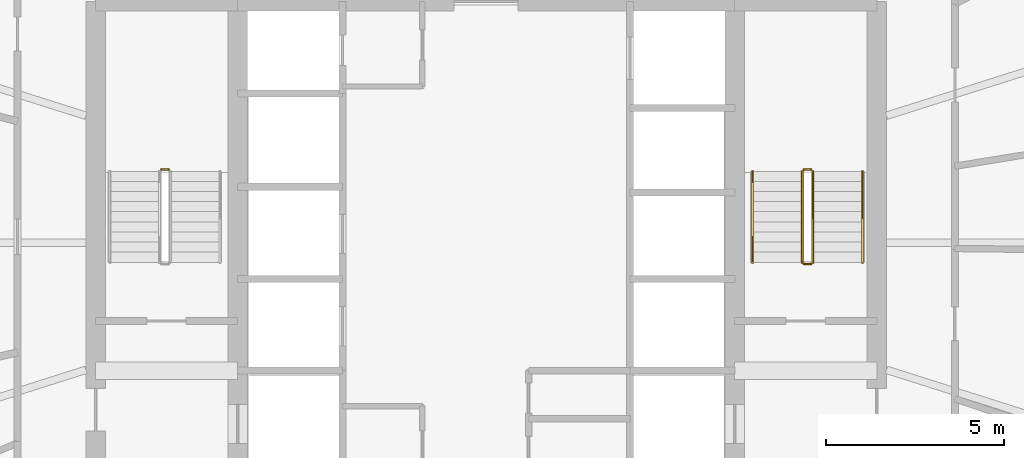
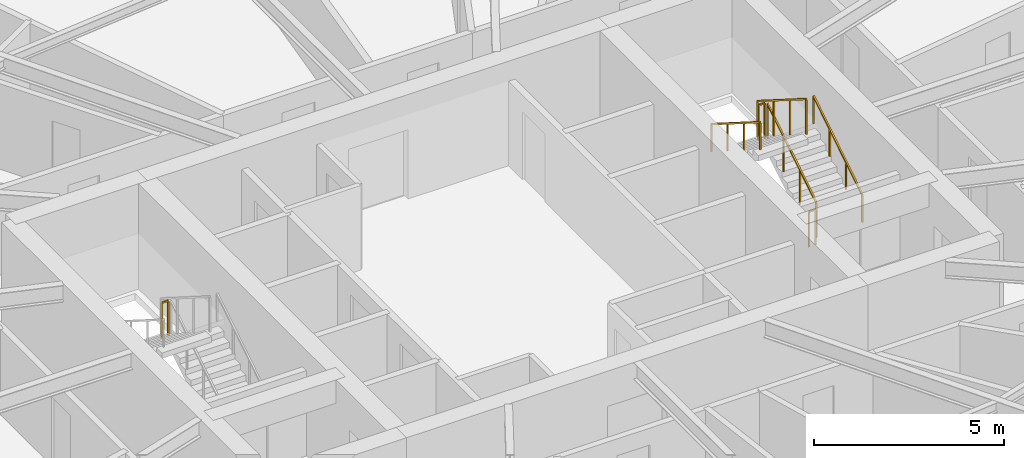
# One storey, part 24 of 24: 7 railings.
"""IFC4 building model written with IfcOpenShell, lengths in metres."""

from ifc_helpers import new_model, si_unit, direction, frame, origin, origin_2d, place, context, subcontext, project, spatial, rectangle, extrude, material, type_object, element, save


model = new_model("IFC4")

# Units and contexts
model_context = context("Model", 3, precision=1e-05, world=origin(), true_north=direction((0.0, 1.0)))
body_context = subcontext(model_context, "Body", "Model", "MODEL_VIEW")
ifc_project = project(units=[si_unit("LENGTHUNIT", "METRE"), si_unit("AREAUNIT", "SQUARE_METRE"), si_unit("VOLUMEUNIT", "CUBIC_METRE"), si_unit("PLANEANGLEUNIT", "RADIAN"), si_unit("MASSUNIT", "GRAM", prefix="KILO")], contexts=[model_context])

# Site, building, storey
site_placement = place(None, origin())
site = spatial("IfcSite", under=ifc_project, at=site_placement, CompositionType="ELEMENT")
building_placement = place(site_placement, origin())
building = spatial("IfcBuilding", under=site, at=building_placement, Name="Sarneth Arch Tower", CompositionType="ELEMENT")
storey_placement = place(building_placement, frame((0.0, 0.0, 109.199951171875)))
storey = spatial("IfcBuildingStorey", under=building, at=storey_placement, Name="L27", CompositionType="ELEMENT", Elevation=109.199951171875)

# Railings
ifc_material_1 = material(Name="Brushed Stainless Steel 304 tubular handrail", Category="steel")
railing_type_1 = type_object("IfcRailingType", Name="RAIL-HANDRAIL-900", PredefinedType="HANDRAIL", material=ifc_material_1)
railing_1_placement = place(storey_placement, frame((58.60009765625, 41.449951171875, 0.179931640625)))
element("IfcRailing", 1, at=railing_1_placement, inside=storey, type_object=railing_type_1, Name="L27 ST-2 stair handrail 1", PredefinedType="HANDRAIL", context=body_context, shape_type="SweptSolid", body=[
    extrude(rectangle(XDim=0.048095703125, YDim=0.048095703125, at=origin_2d()), frame((0.0, 0.0, 0.8759765625), z_axis=(0.0, 0.845465955043, 0.534029323973), x_axis=(-1.0, 0.0, 0.0)), (0.0, 0.0, 1.0), 3.03369140625),
    extrude(rectangle(XDim=0.0419921875, YDim=0.0419921875, at=origin_2d()), origin(), (0.0, 0.0, 1.0), 0.851806640625),
    extrude(rectangle(XDim=0.0419921875, YDim=0.0419921875, at=origin_2d()), frame((0.0, 0.85498046875, 0.5400390625)), (0.0, 0.0, 1.0), 0.851806640625),
    extrude(rectangle(XDim=0.0419921875, YDim=0.0419921875, at=origin_2d()), frame((0.0, 1.7099609375, 1.080078125)), (0.0, 0.0, 1.0), 0.851806640625),
    extrude(rectangle(XDim=0.0419921875, YDim=0.0419921875, at=origin_2d()), frame((0.0, 2.56494140625, 1.6201171875)), (0.0, 0.0, 1.0), 0.851806640625),
])
railing_2_placement = place(storey_placement, frame((55.5, 44.014892578125, 1.97998046875)))
element("IfcRailing", 2, at=railing_2_placement, inside=storey, type_object=railing_type_1, Name="L27 ST-2 stair handrail 2", PredefinedType="HANDRAIL", context=body_context, shape_type="SweptSolid", body=[
    extrude(rectangle(XDim=0.048095703125, YDim=0.048095703125, at=origin_2d()), frame((0.0, 0.0, 0.8759765625), z_axis=(0.0, -0.845465955043, 0.534029323973), x_axis=(1.0, 0.0, 0.0)), (0.0, 0.0, 1.0), 3.03369140625),
    extrude(rectangle(XDim=0.0419921875, YDim=0.0419921875, at=origin_2d()), origin(), (0.0, 0.0, 1.0), 0.851806640625),
    extrude(rectangle(XDim=0.0419921875, YDim=0.0419921875, at=origin_2d()), frame((0.0, -0.85498046875, 0.5400390625)), (0.0, 0.0, 1.0), 0.851806640625),
    extrude(rectangle(XDim=0.0419921875, YDim=0.0419921875, at=origin_2d()), frame((0.0, -1.7099609375, 1.080078125)), (0.0, 0.0, 1.0), 0.851806640625),
    extrude(rectangle(XDim=0.0419921875, YDim=0.0419921875, at=origin_2d()), frame((0.0, -2.56494140625, 1.6201171875)), (0.0, 0.0, 1.0), 0.851806640625),
])
ifc_material_2 = material(Name="Painted Steel S275 stair well guard", Category="steel")
railing_type_2 = type_object("IfcRailingType", Name="RAIL-STAIR-GUARD", PredefinedType="GUARDRAIL", material=ifc_material_2)
railing_3_placement = place(storey_placement, frame((39.050048828125, 44.06494140625, 1.800048828125)))
element("IfcRailing", 3, at=railing_3_placement, inside=storey, type_object=railing_type_2, Name="L27 ST-1 stair guard 2", PredefinedType="GUARDRAIL", context=body_context, shape_type="SweptSolid", body=[
    extrude(rectangle(XDim=0.048095703125, YDim=0.048095703125, at=origin_2d()), frame((0.0, 0.0, 1.1259765625), z_axis=(-1.0, 0.0, 0.0), x_axis=(0.0, -1.0, 0.0)), (0.0, 0.0, 1.0), 0.199951171875),
    extrude(rectangle(XDim=0.0419921875, YDim=0.0419921875, at=origin_2d()), origin(), (0.0, 0.0, 1.0), 1.101806640625),
    extrude(rectangle(XDim=0.0419921875, YDim=0.0419921875, at=origin_2d()), frame((-0.199951171875, 0.0, 0.0)), (0.0, 0.0, 1.0), 1.101806640625),
])
railing_4_placement = place(storey_placement, frame((57.199951171875, 41.449951171875, 0.179931640625)))
element("IfcRailing", 4, at=railing_4_placement, inside=storey, type_object=railing_type_2, Name="L27 ST-2 stair guard 1", PredefinedType="GUARDRAIL", context=body_context, shape_type="SweptSolid", body=[
    extrude(rectangle(XDim=0.048095703125, YDim=0.048095703125, at=origin_2d()), frame((0.0, 0.0, 1.1259765625), z_axis=(0.0, 0.845465955043, 0.534029323973), x_axis=(-1.0, 0.0, 0.0)), (0.0, 0.0, 1.0), 3.03369140625),
    extrude(rectangle(XDim=0.0419921875, YDim=0.0419921875, at=origin_2d()), origin(), (0.0, 0.0, 1.0), 1.101806640625),
    extrude(rectangle(XDim=0.0419921875, YDim=0.0419921875, at=origin_2d()), frame((0.0, 0.85498046875, 0.5400390625)), (0.0, 0.0, 1.0), 1.101806640625),
    extrude(rectangle(XDim=0.0419921875, YDim=0.0419921875, at=origin_2d()), frame((0.0, 1.7099609375, 1.080078125)), (0.0, 0.0, 1.0), 1.101806640625),
    extrude(rectangle(XDim=0.0419921875, YDim=0.0419921875, at=origin_2d()), frame((0.0, 2.56494140625, 1.6201171875)), (0.0, 0.0, 1.0), 1.101806640625),
])
railing_5_placement = place(storey_placement, frame((57.14990234375, 44.06494140625, 1.800048828125)))
element("IfcRailing", 5, at=railing_5_placement, inside=storey, type_object=railing_type_2, Name="L27 ST-2 stair guard 2", PredefinedType="GUARDRAIL", context=body_context, shape_type="SweptSolid", body=[
    extrude(rectangle(XDim=0.048095703125, YDim=0.048095703125, at=origin_2d()), frame((0.0, 0.0, 1.1259765625), z_axis=(-1.0, 0.0, 0.0), x_axis=(0.0, -1.0, 0.0)), (0.0, 0.0, 1.0), 0.199951171875),
    extrude(rectangle(XDim=0.0419921875, YDim=0.0419921875, at=origin_2d()), origin(), (0.0, 0.0, 1.0), 1.101806640625),
    extrude(rectangle(XDim=0.0419921875, YDim=0.0419921875, at=origin_2d()), frame((-0.199951171875, 0.0, 0.0)), (0.0, 0.0, 1.0), 1.101806640625),
])
railing_6_placement = place(storey_placement, frame((56.89990234375, 44.014892578125, 1.97998046875)))
element("IfcRailing", 6, at=railing_6_placement, inside=storey, type_object=railing_type_2, Name="L27 ST-2 stair guard 3", PredefinedType="GUARDRAIL", context=body_context, shape_type="SweptSolid", body=[
    extrude(rectangle(XDim=0.048095703125, YDim=0.048095703125, at=origin_2d()), frame((0.0, 0.0, 1.1259765625), z_axis=(0.0, -0.845465955043, 0.534029323973), x_axis=(1.0, 0.0, 0.0)), (0.0, 0.0, 1.0), 3.03369140625),
    extrude(rectangle(XDim=0.0419921875, YDim=0.0419921875, at=origin_2d()), origin(), (0.0, 0.0, 1.0), 1.101806640625),
    extrude(rectangle(XDim=0.0419921875, YDim=0.0419921875, at=origin_2d()), frame((0.0, -0.85498046875, 0.5400390625)), (0.0, 0.0, 1.0), 1.101806640625),
    extrude(rectangle(XDim=0.0419921875, YDim=0.0419921875, at=origin_2d()), frame((0.0, -1.7099609375, 1.080078125)), (0.0, 0.0, 1.0), 1.101806640625),
    extrude(rectangle(XDim=0.0419921875, YDim=0.0419921875, at=origin_2d()), frame((0.0, -2.56494140625, 1.6201171875)), (0.0, 0.0, 1.0), 1.101806640625),
])
railing_7_placement = place(storey_placement, frame((57.14990234375, 41.39990234375, 0.0)))
element("IfcRailing", 7, at=railing_7_placement, inside=storey, type_object=railing_type_2, Name="L27 ST-2 stair guard 4", PredefinedType="GUARDRAIL", context=body_context, shape_type="SweptSolid", body=[
    extrude(rectangle(XDim=0.048095703125, YDim=0.048095703125, at=origin_2d()), frame((0.0, 0.0, 1.1259765625), z_axis=(-1.0, 0.0, 0.0), x_axis=(0.0, -1.0, 0.0)), (0.0, 0.0, 1.0), 0.199951171875),
    extrude(rectangle(XDim=0.0419921875, YDim=0.0419921875, at=origin_2d()), origin(), (0.0, 0.0, 1.0), 1.101806640625),
    extrude(rectangle(XDim=0.0419921875, YDim=0.0419921875, at=origin_2d()), frame((-0.199951171875, 0.0, 0.0)), (0.0, 0.0, 1.0), 1.101806640625),
])

save(model, "model.ifc")
